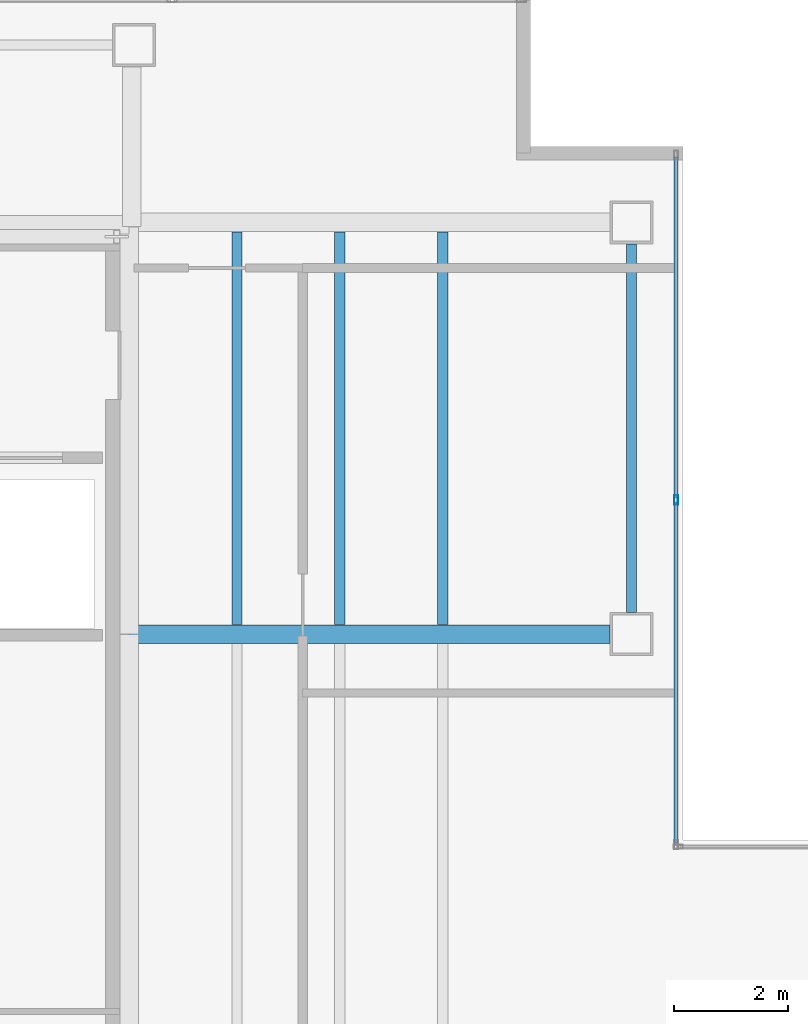
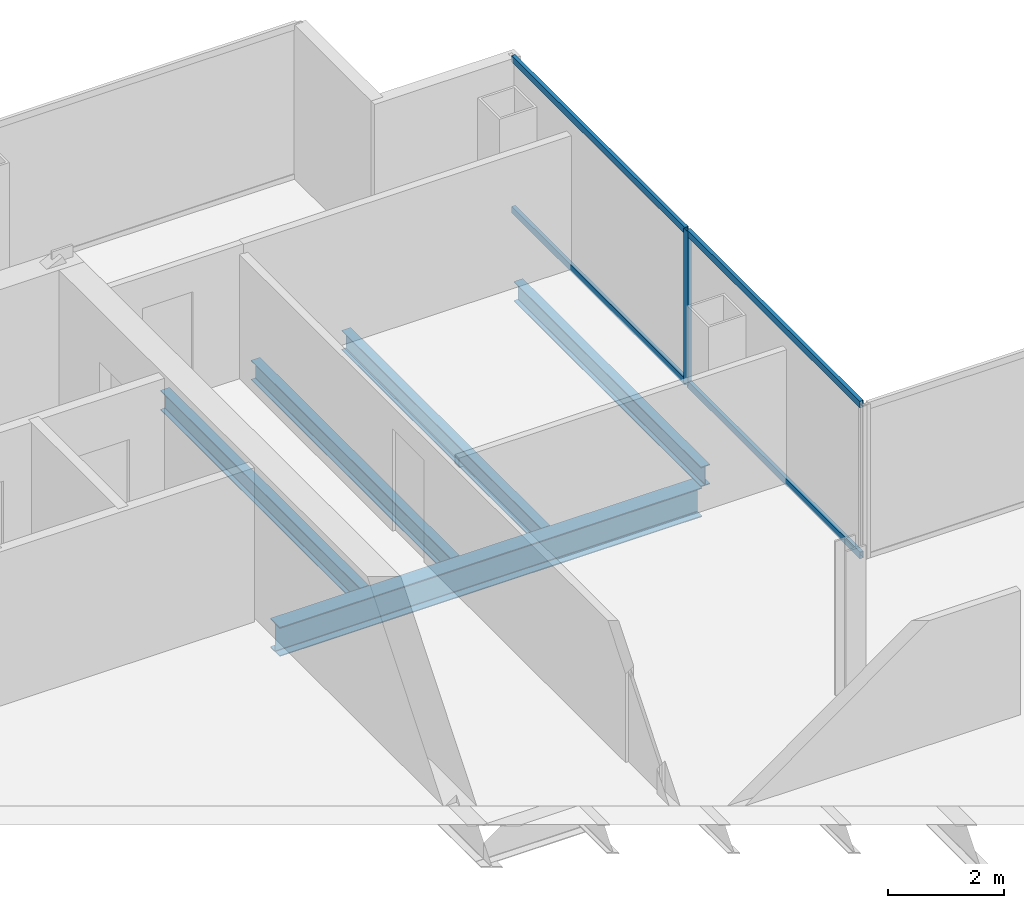
# One storey, part 9 of 23: 5 beams, 5 members, 1 element without a shape of its own.
"""IFC4 building model written with IfcOpenShell, lengths in metres."""

from ifc_helpers import new_model, si_unit, direction, frame, origin, origin_2d, place, context, subcontext, project, spatial, hollow_rectangle, i_section, extrude, material, material_profile, profile_set, type_object, element, aggregate, save


model = new_model("IFC4")

# Units and contexts
model_context = context("Model", 3, precision=1e-05, world=origin(), true_north=direction((0.0, 1.0)))
body_context = subcontext(model_context, "Body", "Model", "MODEL_VIEW")
ifc_project = project(units=[si_unit("LENGTHUNIT", "METRE"), si_unit("AREAUNIT", "SQUARE_METRE"), si_unit("VOLUMEUNIT", "CUBIC_METRE"), si_unit("PLANEANGLEUNIT", "RADIAN"), si_unit("MASSUNIT", "GRAM", prefix="KILO")], contexts=[model_context])

# Site, building, storey
site_placement = place(None, origin())
site = spatial("IfcSite", under=ifc_project, at=site_placement, CompositionType="ELEMENT")
building_placement = place(site_placement, origin())
building = spatial("IfcBuilding", under=site, at=building_placement, Name="Cobrela Telecom Tower", CompositionType="ELEMENT")
storey_placement = place(building_placement, frame((0.0, 0.0, 222.25)))
storey = spatial("IfcBuildingStorey", under=building, at=storey_placement, Name="L57", CompositionType="ELEMENT", Elevation=222.25)

# Beams
ifc_material_1 = material(Name="Steel ASTM A992 Grade 50", Category="steel")
ifc_material_profile_1 = material_profile(ifc_material_1, i_section(OverallWidth=0.324951171875, OverallDepth=0.612060546875, WebThickness=0.0126953125, FlangeThickness=0.01904296875, FilletRadius=0.014892578125, at=origin_2d()), Name="W24X104")
ifc_profile_set_1 = profile_set([ifc_material_profile_1], Name="Steel ASTM A992 Grade 50")
beam_type_1 = type_object("IfcBeamType", Name="BM-GIRD-07", PredefinedType="USERDEFINED", material=ifc_profile_set_1)
beam_1_placement = place(storey_placement, frame((14.324951171875, 28.800048828125, -0.56591796875), z_axis=(1.0, 0.0, 0.0), x_axis=(0.0, 1.0, 0.0)))
element("IfcBeam", 1, at=beam_1_placement, inside=storey, type_object=beam_type_1, Name="L57 Primary Girder X19", ObjectType="GIRDER", PredefinedType="USERDEFINED", context=body_context, shape_type="SweptSolid", body=[
    extrude(i_section(OverallWidth=0.324951171875, OverallDepth=0.612060546875, WebThickness=0.0126953125, FlangeThickness=0.01904296875, FilletRadius=0.014892578125, at=origin_2d()), origin(), (0.0, 0.0, 1.0), 8.39501953125),
])
ifc_material_profile_2 = material_profile(ifc_material_1, i_section(OverallWidth=0.179931640625, OverallDepth=0.4169921875, WebThickness=0.010986328125, FlangeThickness=0.01806640625, FilletRadius=0.011962890625, at=origin_2d()), Name="W16X57")
ifc_profile_set_2 = profile_set([ifc_material_profile_2], Name="Steel ASTM A992 Grade 50")
beam_type_2 = type_object("IfcBeamType", Name="BM-JOIST-04", PredefinedType="JOIST", material=ifc_profile_set_2)
for number, where, z_axis, x_axis, name in (
    (2, (16.199951171875, 28.967529296875, -0.468505859375), (0.0, 1.0, 0.0), (-1.0, 0.0, 0.0), "L57 Secondary Composite Floor Beam J04"),
    (3, (18.0, 28.967529296875, -0.468505859375), (0.0, 1.0, 0.0), (-1.0, 0.0, 0.0), "L57 Secondary Composite Floor Beam J08"),
    (4, (19.800048828125, 28.967529296875, -0.468505859375), (0.0, 1.0, 0.0), (-1.0, 0.0, 0.0), "L57 Secondary Composite Floor Beam J12"),
):
    element("IfcBeam", number, at=place(storey_placement, frame(where, z_axis=z_axis, x_axis=x_axis)), inside=storey, type_object=beam_type_2, Name=name, PredefinedType="JOIST", context=body_context, shape_type="SweptSolid", body=[
        extrude(i_section(OverallWidth=0.179931640625, OverallDepth=0.4169921875, WebThickness=0.010986328125, FlangeThickness=0.01806640625, FilletRadius=0.011962890625, at=origin_2d()), origin(), (0.0, 0.0, 1.0), 6.864990234375),
    ])
ifc_material_profile_3 = material_profile(ifc_material_1, i_section(OverallWidth=0.179931640625, OverallDepth=0.4169921875, WebThickness=0.010986328125, FlangeThickness=0.01806640625, FilletRadius=0.011962890625, at=origin_2d()), Name="W16X57")
ifc_profile_set_3 = profile_set([ifc_material_profile_3], Name="Steel ASTM A992 Grade 50")
beam_type_3 = type_object("IfcBeamType", Name="BM-SPAND-06", PredefinedType="SPANDREL", material=ifc_profile_set_3)
beam_2_placement = place(storey_placement, frame((23.10009765625, 29.179931640625, -0.468505859375), z_axis=(0.0, 1.0, 0.0), x_axis=(-1.0, 0.0, 0.0)))
element("IfcBeam", 5, at=beam_2_placement, inside=storey, type_object=beam_type_3, Name="L57 Perimeter Spandrel Y35", PredefinedType="SPANDREL", context=body_context, shape_type="SweptSolid", body=[
    extrude(i_section(OverallWidth=0.179931640625, OverallDepth=0.4169921875, WebThickness=0.010986328125, FlangeThickness=0.01806640625, FilletRadius=0.011962890625, at=origin_2d()), origin(), (0.0, 0.0, 1.0), 6.440185546875),
])

# Curtain wall, members
ifc_material_2 = material(Name="Anodized Bronze Aluminium 6063-T6", Category="aluminium")
curtain_wall_type = type_object("IfcCurtainWallType", Name="CW-SYS-OFF-LO", PredefinedType="USERDEFINED", material=ifc_material_2)
curtain_wall_placement = place(storey_placement, origin())
curtain_wall = element("IfcCurtainWall", 6, at=curtain_wall_placement, inside=storey, type_object=curtain_wall_type, Name="L57 Unitised Bronze Curtain Wall 10", ObjectType="UNITISED CURTAIN WALL", PredefinedType="USERDEFINED")
ifc_material_profile_4 = material_profile(ifc_material_2, hollow_rectangle(XDim=0.070068359375, YDim=0.159912109375, WallThickness=0.00390625, at=origin_2d()), Name="ALU 70x160x4")
ifc_profile_set_4 = profile_set([ifc_material_profile_4], Name="Anodized Bronze Aluminium 6063-T6")
member_type_1 = type_object("IfcMemberType", Name="CW-SYS-OFF-LO-MUL", PredefinedType="MULLION", material=ifc_profile_set_4)
member_1_placement = place(storey_placement, frame((23.8798828125, 31.14501953125, 0.0), z_axis=(0.0, 0.0, 1.0), x_axis=(1.0, 0.0, 0.0)))
member_1 = element("IfcMember", 7, at=member_1_placement, type_object=member_type_1, Name="CW-OFF-LO mullion 2", PredefinedType="MULLION", context=body_context, shape_type="SweptSolid", body=[
    extrude(hollow_rectangle(XDim=0.070068359375, YDim=0.159912109375, WallThickness=0.00390625, at=origin_2d()), origin(), (0.0, 0.0, 1.0), 3.239990234375),
])
ifc_material_profile_5 = material_profile(ifc_material_2, hollow_rectangle(XDim=0.070068359375, YDim=0.139892578125, WallThickness=0.00390625, at=origin_2d()), Name="ALU 70x140x4")
ifc_profile_set_5 = profile_set([ifc_material_profile_5], Name="Anodized Bronze Aluminium 6063-T6")
member_type_2 = type_object("IfcMemberType", Name="CW-SYS-OFF-LO-TRN", PredefinedType="USERDEFINED", material=ifc_profile_set_5)
member_2_placement = place(storey_placement, frame((23.8798828125, 37.139892578125, 0.034912109375), z_axis=(0.0, -1.0, 0.0), x_axis=(1.0, 0.0, 0.0)))
member_2 = element("IfcMember", 8, at=member_2_placement, type_object=member_type_2, Name="CW-OFF-LO transom 1.1", ObjectType="TRANSOM", PredefinedType="USERDEFINED", context=body_context, shape_type="SweptSolid", body=[
    extrude(hollow_rectangle(XDim=0.070068359375, YDim=0.139892578125, WallThickness=0.00390625, at=origin_2d()), origin(), (0.0, 0.0, 1.0), 5.9599609375),
])
member_3_placement = place(storey_placement, frame((23.8798828125, 37.139892578125, 3.205078125), z_axis=(0.0, -1.0, 0.0), x_axis=(1.0, 0.0, 0.0)))
member_3 = element("IfcMember", 9, at=member_3_placement, type_object=member_type_2, Name="CW-OFF-LO transom 1.2", ObjectType="TRANSOM", PredefinedType="USERDEFINED", context=body_context, shape_type="SweptSolid", body=[
    extrude(hollow_rectangle(XDim=0.070068359375, YDim=0.139892578125, WallThickness=0.00390625, at=origin_2d()), origin(), (0.0, 0.0, 1.0), 5.9599609375),
])
member_4_placement = place(storey_placement, frame((23.8798828125, 31.110107421875, 0.034912109375), z_axis=(0.0, -1.0, 0.0), x_axis=(1.0, 0.0, 0.0)))
member_4 = element("IfcMember", 10, at=member_4_placement, type_object=member_type_2, Name="CW-OFF-LO transom 2.1", ObjectType="TRANSOM", PredefinedType="USERDEFINED", context=body_context, shape_type="SweptSolid", body=[
    extrude(hollow_rectangle(XDim=0.070068359375, YDim=0.139892578125, WallThickness=0.00390625, at=origin_2d()), origin(), (0.0, 0.0, 1.0), 5.960205078125),
])
member_5_placement = place(storey_placement, frame((23.8798828125, 31.110107421875, 3.205078125), z_axis=(0.0, -1.0, 0.0), x_axis=(1.0, 0.0, 0.0)))
member_5 = element("IfcMember", 11, at=member_5_placement, type_object=member_type_2, Name="CW-OFF-LO transom 2.2", ObjectType="TRANSOM", PredefinedType="USERDEFINED", context=body_context, shape_type="SweptSolid", body=[
    extrude(hollow_rectangle(XDim=0.070068359375, YDim=0.139892578125, WallThickness=0.00390625, at=origin_2d()), origin(), (0.0, 0.0, 1.0), 5.960205078125),
])
aggregate(curtain_wall, [member_1, member_2, member_3, member_4, member_5])

save(model, "model.ifc")
